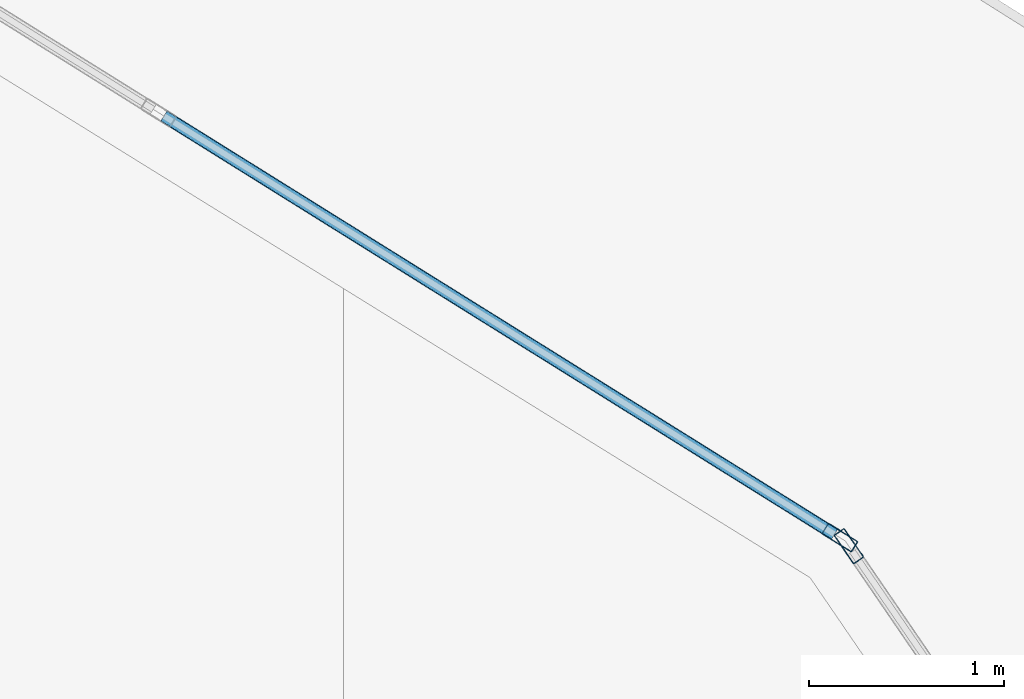
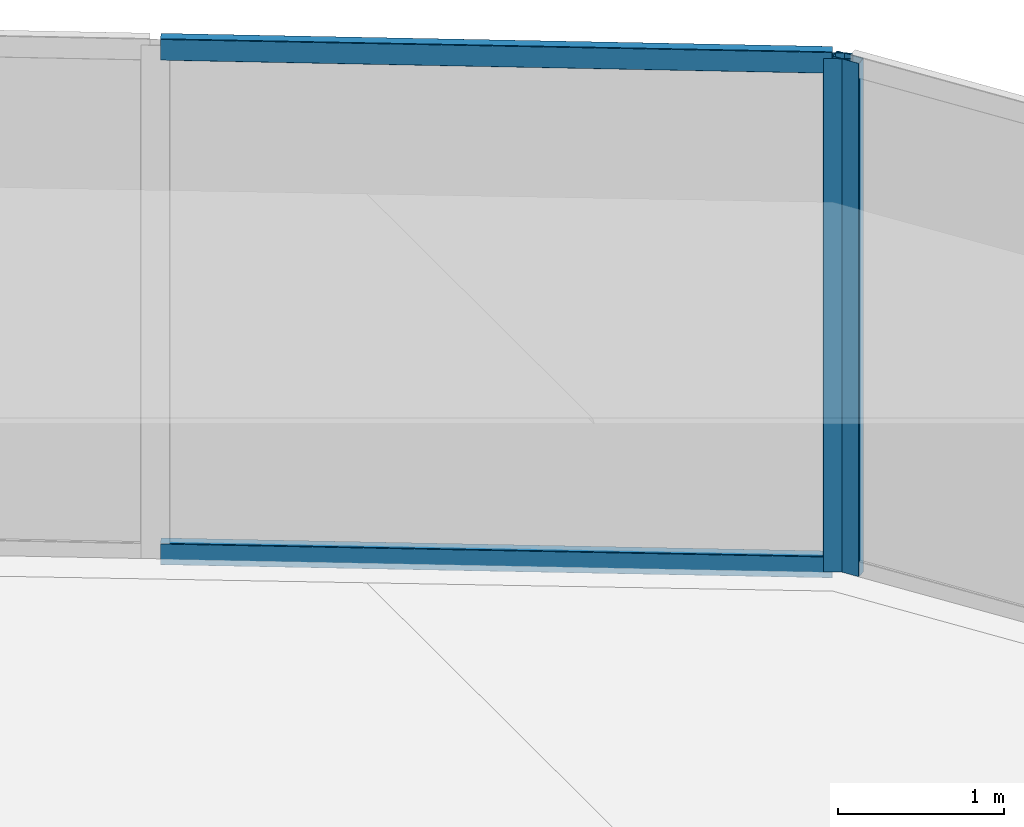
# One storey, part 23 of 39: 4 members, 2 elements without a shape of their own.
"""IFC4 building model written with IfcOpenShell, lengths in metres."""

from ifc_helpers import new_model, si_unit, direction, frame, origin, origin_2d, place, context, subcontext, project, spatial, hollow_rectangle, extrude, material, layer, layer_set, material_profile, profile_set, type_object, element, aggregate, save


model = new_model("IFC4")

# Units and contexts
model_context = context("Model", 3, precision=1e-05, world=origin(), true_north=direction((0.0, 1.0)))
body_context = subcontext(model_context, "Body", "Model", "MODEL_VIEW")
ifc_project = project(units=[si_unit("LENGTHUNIT", "METRE"), si_unit("AREAUNIT", "SQUARE_METRE"), si_unit("VOLUMEUNIT", "CUBIC_METRE"), si_unit("PLANEANGLEUNIT", "RADIAN"), si_unit("MASSUNIT", "GRAM", prefix="KILO")], contexts=[model_context])

# Site, building, storey
site_placement = place(None, origin())
site = spatial("IfcSite", under=ifc_project, at=site_placement, CompositionType="ELEMENT")
building_placement = place(site_placement, origin())
building = spatial("IfcBuilding", under=site, at=building_placement, Name="Qorvath Tower", CompositionType="ELEMENT")
storey_placement = place(building_placement, frame((0.0, 0.0, 201.0)))
storey = spatial("IfcBuildingStorey", under=building, at=storey_placement, Name="L46", CompositionType="ELEMENT", Elevation=201.0)

# Curtain wall, member
ifc_material_1 = material(Name="Anodised aluminium and triple low-E glass", Category="aluminium")
ifc_layer = layer(ifc_material_1, 0.179931640625)
ifc_layer_set = layer_set([ifc_layer], Name="CW-SYS-3")
curtain_wall_type = type_object("IfcCurtainWallType", Name="CW-SYS-3", PredefinedType="NOTDEFINED", material=ifc_layer_set)
curtain_wall_1_placement = place(storey_placement, origin())
curtain_wall_1 = element("IfcCurtainWall", 1, at=curtain_wall_1_placement, inside=storey, type_object=curtain_wall_type, Name="Curtain Wall CW-3 CW-T-L46-13.1", PredefinedType="NOTDEFINED")
ifc_material_2 = material(Name="Anodised aluminium 6063-T6", Category="aluminium")
ifc_material_profile_1 = material_profile(ifc_material_2, hollow_rectangle(XDim=0.06494140625, YDim=0.179931640625, WallThickness=0.00341796875, InnerFilletRadius=0.00341796875, OuterFilletRadius=0.007080078125, at=origin_2d()), Name="CWM 180x65")
ifc_profile_set_1 = profile_set([ifc_material_profile_1], Name="Anodised aluminium 6063-T6")
member_type_1 = type_object("IfcMemberType", Name="CWM-180", PredefinedType="MULLION", material=ifc_profile_set_1)
member_1_placement = place(storey_placement, frame((-5.712890625, 21.366943359375, 0.0), z_axis=(0.0, 0.0, 1.0), x_axis=(-0.825424850974, -0.56451201528, 0.0)))
member_1 = element("IfcMember", 2, at=member_1_placement, type_object=member_type_1, Name="CW-3 mullion 2", PredefinedType="MULLION", context=body_context, shape_type="SweptSolid", body=[
    extrude(hollow_rectangle(XDim=0.06494140625, YDim=0.179931640625, WallThickness=0.00341796875, InnerFilletRadius=0.00341796875, OuterFilletRadius=0.007080078125, at=origin_2d()), origin(), (0.0, 0.0, 1.0), 3.780029296875),
])
aggregate(curtain_wall_1, [member_1])

# Curtain wall, members
curtain_wall_2_placement = place(storey_placement, origin())
curtain_wall_2 = element("IfcCurtainWall", 3, at=curtain_wall_2_placement, inside=storey, type_object=curtain_wall_type, Name="Curtain Wall CW-3 CW-T-L46-14.1", PredefinedType="NOTDEFINED")
member_2_placement = place(storey_placement, frame((-5.7587890625, 21.410888671875, 0.0), z_axis=(0.0, 0.0, 1.0), x_axis=(-0.529206179006, -0.848493264618, 0.0)))
member_2 = element("IfcMember", 4, at=member_2_placement, type_object=member_type_1, Name="CW-3 mullion 1", PredefinedType="MULLION", context=body_context, shape_type="SweptSolid", body=[
    extrude(hollow_rectangle(XDim=0.06494140625, YDim=0.179931640625, WallThickness=0.00341796875, InnerFilletRadius=0.00341796875, OuterFilletRadius=0.007080078125, at=origin_2d()), origin(), (0.0, 0.0, 1.0), 3.780029296875),
])
ifc_material_3 = material(Name="Anodised aluminium 6063-T6", Category="aluminium")
ifc_material_profile_2 = material_profile(ifc_material_3, hollow_rectangle(XDim=0.06494140625, YDim=0.159912109375, WallThickness=0.00341796875, InnerFilletRadius=0.00341796875, OuterFilletRadius=0.007080078125, at=origin_2d()), Name="CWT 160x65")
ifc_profile_set_2 = profile_set([ifc_material_profile_2], Name="Anodised aluminium 6063-T6")
member_type_2 = type_object("IfcMemberType", Name="CWT-160", PredefinedType="USERDEFINED", material=ifc_profile_set_2)
member_3_placement = place(storey_placement, frame((-5.786376953125, 21.42822265625, 0.032470703125), z_axis=(-0.848485179469, 0.529219141964, 0.0), x_axis=(-0.529219141964, -0.848485179469, 0.0)))
member_3 = element("IfcMember", 5, at=member_3_placement, type_object=member_type_2, Name="CW-3 transom 1.1", ObjectType="TRANSOM", PredefinedType="USERDEFINED", context=body_context, shape_type="SweptSolid", body=[
    extrude(hollow_rectangle(XDim=0.06494140625, YDim=0.159912109375, WallThickness=0.00341796875, InnerFilletRadius=0.00341796875, OuterFilletRadius=0.007080078125, at=origin_2d()), origin(), (0.0, 0.0, 1.0), 4.0537109375),
])
member_4_placement = place(storey_placement, frame((-5.786376953125, 21.42822265625, 3.74755859375), z_axis=(-0.848485179469, 0.529219141964, 0.0), x_axis=(-0.529219141964, -0.848485179469, 0.0)))
member_4 = element("IfcMember", 6, at=member_4_placement, type_object=member_type_2, Name="CW-3 transom 1.2", ObjectType="TRANSOM", PredefinedType="USERDEFINED", context=body_context, shape_type="SweptSolid", body=[
    extrude(hollow_rectangle(XDim=0.06494140625, YDim=0.159912109375, WallThickness=0.00341796875, InnerFilletRadius=0.00341796875, OuterFilletRadius=0.007080078125, at=origin_2d()), origin(), (0.0, 0.0, 1.0), 4.0537109375),
])
aggregate(curtain_wall_2, [member_2, member_3, member_4])

save(model, "model.ifc")
